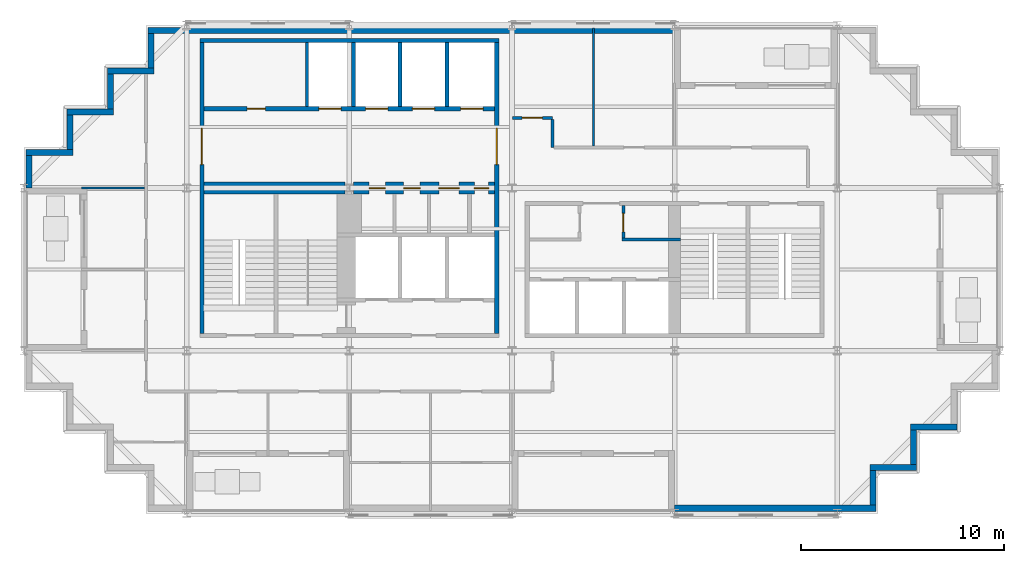
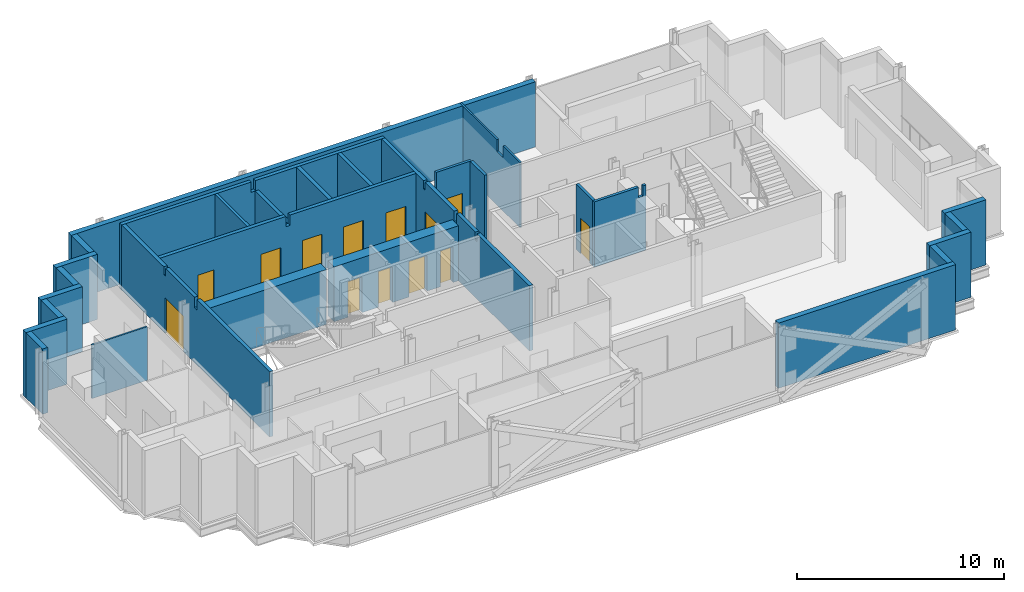
# One storey, part 4 of 8: 29 walls, 13 doors, 13 openings.
"""IFC4 building model written with IfcOpenShell, lengths in metres."""

from ifc_helpers import new_model, si_unit, direction, frame, frame_2d, origin, place, context, subcontext, project, spatial, polyline, rectangle, outline, extrude, material, layer, layer_set, type_object, element, fill, save


model = new_model("IFC4")

# Units and contexts
model_context = context("Model", 3, precision=1e-05, world=origin(), true_north=direction((0.0, 1.0)))
body_context = subcontext(model_context, "Body", "Model", "MODEL_VIEW")
ifc_project = project(units=[si_unit("LENGTHUNIT", "METRE"), si_unit("AREAUNIT", "SQUARE_METRE"), si_unit("VOLUMEUNIT", "CUBIC_METRE"), si_unit("PLANEANGLEUNIT", "RADIAN"), si_unit("MASSUNIT", "GRAM", prefix="KILO")], contexts=[model_context])

# Site, building, storey
site_placement = place(None, origin())
site = spatial("IfcSite", under=ifc_project, at=site_placement, CompositionType="ELEMENT")
building_placement = place(site_placement, origin())
building = spatial("IfcBuilding", under=site, at=building_placement, Name="Immortelle Media Tower", CompositionType="ELEMENT")
storey_placement = place(building_placement, frame((0.0, 0.0, 197.0)))
storey = spatial("IfcBuildingStorey", under=building, at=storey_placement, Name="L41", CompositionType="ELEMENT", Elevation=197.0)

# Wall, openings, doors
ifc_material_1 = material(Name="Fire-rated masonry blockwork", Category="masonry")
ifc_layer_1 = layer(ifc_material_1, 0.60009765625)
ifc_layer_set_1 = layer_set([ifc_layer_1], Name="Fire-rated masonry blockwork")
wall_type_1 = type_object("IfcWallType", Name="Core grid-line wall 600", PredefinedType="PARTITIONING", material=ifc_layer_set_1)
wall_1_placement = place(storey_placement, frame((16.20703125, 16.0, 0.0), z_axis=(0.0, 0.0, 1.0), x_axis=(1.0, 0.0, 0.0)))
wall_1 = element("IfcWall", 1, at=wall_1_placement, inside=storey, type_object=wall_type_1, Name="Core grid-line wall SW", PredefinedType="PARTITIONING", context=body_context, shape_type="SweptSolid", body=[
    extrude(rectangle(XDim=6.94287109375, YDim=0.60009765625, at=frame_2d((3.471435546875, 0.0))), origin(), (0.0, 0.0, 1.0), 3.241943359375),
])
opening_1_placement = place(wall_1_placement, frame((1.568115234375, 0.0, 0.0), z_axis=(0.0, 0.0, 1.0), x_axis=(-1.0, 0.0, 0.0)))
opening_1 = element("IfcOpeningElement", 2, at=opening_1_placement, cuts=wall_1, Name="Opening O1-K027", PredefinedType="OPENING", context=body_context, shape_type="SweptSolid", body=[
    extrude(rectangle(XDim=0.800048828125, YDim=2.10009765625, at=frame_2d((0.39990234375, 1.050048828125))), frame((0.0, 0.31005859375, 0.0), z_axis=(0.0, -1.0, 0.0), x_axis=(1.0, 0.0, 0.0)), (0.0, 0.0, 1.0), 0.6201171875),
])
opening_2_placement = place(wall_1_placement, frame((3.26806640625, 0.0, 0.0), z_axis=(0.0, 0.0, 1.0), x_axis=(-1.0, 0.0, 0.0)))
opening_2 = element("IfcOpeningElement", 3, at=opening_2_placement, cuts=wall_1, Name="Opening O1-K028", PredefinedType="OPENING", context=body_context, shape_type="SweptSolid", body=[
    extrude(rectangle(XDim=0.800048828125, YDim=2.10009765625, at=frame_2d((0.39990234375, 1.050048828125))), frame((0.0, 0.31005859375, 0.0), z_axis=(0.0, -1.0, 0.0), x_axis=(1.0, 0.0, 0.0)), (0.0, 0.0, 1.0), 0.6201171875),
])
opening_3_placement = place(wall_1_placement, frame((5.193115234375, 0.0, 0.0), z_axis=(0.0, 0.0, 1.0), x_axis=(-1.0, 0.0, 0.0)))
opening_3 = element("IfcOpeningElement", 4, at=opening_3_placement, cuts=wall_1, Name="Opening O1-K029", PredefinedType="OPENING", context=body_context, shape_type="SweptSolid", body=[
    extrude(rectangle(XDim=1.0, YDim=2.10009765625, at=frame_2d((0.5, 1.050048828125))), frame((0.0, 0.31005859375, 0.0), z_axis=(0.0, -1.0, 0.0), x_axis=(1.0, 0.0, 0.0)), (0.0, 0.0, 1.0), 0.6201171875),
])
opening_4_placement = place(wall_1_placement, frame((6.64306640625, 0.0, 0.0), z_axis=(0.0, 0.0, 1.0), x_axis=(-1.0, 0.0, 0.0)))
opening_4 = element("IfcOpeningElement", 5, at=opening_4_placement, cuts=wall_1, Name="Opening O1-K018", PredefinedType="OPENING", context=body_context, shape_type="SweptSolid", body=[
    extrude(rectangle(XDim=0.699951171875, YDim=2.10009765625, at=frame_2d((0.35009765625, 1.050048828125))), frame((0.0, 0.31005859375, 0.0), z_axis=(0.0, -1.0, 0.0), x_axis=(1.0, 0.0, 0.0)), (0.0, 0.0, 1.0), 0.6201171875),
])
ifc_material_2 = material(Name="Timber", Category="wood")
door_type_1 = type_object("IfcDoorType", Name="Accessible toilet door 1000 x 2100", OperationType="NOTDEFINED", PredefinedType="NOTDEFINED", material=ifc_material_2)
door_1_placement = place(opening_3_placement, origin())
door_1 = element("IfcDoor", 6, at=door_1_placement, inside=storey, type_object=door_type_1, Name="Accessible toilet O1-K029", OperationType="SINGLE_SWING_LEFT", OverallHeight=2.10009765625, OverallWidth=1.0, PredefinedType="NOTDEFINED", context=body_context, shape_type="SweptSolid", body=[
    extrude(rectangle(XDim=1.0, YDim=2.10009765625, at=frame_2d((0.5, 1.050048828125))), frame((0.0, 0.02490234375, 0.0), z_axis=(0.0, -1.0, 0.0), x_axis=(1.0, 0.0, 0.0)), (0.0, 0.0, 1.0), 0.050048828125),
])
fill(opening_3, door_1)
ifc_material_3 = material(Name="Galvanised steel door leaf and frame ASTM A653", Category="steel")
door_type_2 = type_object("IfcDoorType", Name="Service door 700 x 2100", OperationType="NOTDEFINED", PredefinedType="NOTDEFINED", material=ifc_material_3)
door_2_placement = place(opening_4_placement, origin())
door_2 = element("IfcDoor", 7, at=door_2_placement, inside=storey, type_object=door_type_2, Name="Service O1-K018", OperationType="SINGLE_SWING_RIGHT", OverallHeight=2.10009765625, OverallWidth=0.699951171875, PredefinedType="NOTDEFINED", context=body_context, shape_type="SweptSolid", body=[
    extrude(rectangle(XDim=0.699951171875, YDim=2.10009765625, at=frame_2d((0.35009765625, 1.050048828125))), frame((0.0, 0.02490234375, 0.0), z_axis=(0.0, -1.0, 0.0), x_axis=(1.0, 0.0, 0.0)), (0.0, 0.0, 1.0), 0.050048828125),
])
fill(opening_4, door_2)
door_type_3 = type_object("IfcDoorType", Name="Toilet door 800 x 2100", OperationType="NOTDEFINED", PredefinedType="NOTDEFINED", material=ifc_material_2)
door_3_placement = place(opening_1_placement, origin())
door_3 = element("IfcDoor", 8, at=door_3_placement, inside=storey, type_object=door_type_3, Name="Toilet O1-K027", OperationType="SINGLE_SWING_RIGHT", OverallHeight=2.10009765625, OverallWidth=0.800048828125, PredefinedType="NOTDEFINED", context=body_context, shape_type="SweptSolid", body=[
    extrude(rectangle(XDim=0.800048828125, YDim=2.10009765625, at=frame_2d((0.39990234375, 1.050048828125))), frame((0.0, 0.02490234375, 0.0), z_axis=(0.0, -1.0, 0.0), x_axis=(1.0, 0.0, 0.0)), (0.0, 0.0, 1.0), 0.050048828125),
])
fill(opening_1, door_3)
door_4_placement = place(opening_2_placement, origin())
door_4 = element("IfcDoor", 9, at=door_4_placement, inside=storey, type_object=door_type_3, Name="Toilet O1-K028", OperationType="SINGLE_SWING_LEFT", OverallHeight=2.10009765625, OverallWidth=0.800048828125, PredefinedType="NOTDEFINED", context=body_context, shape_type="SweptSolid", body=[
    extrude(rectangle(XDim=0.800048828125, YDim=2.10009765625, at=frame_2d((0.39990234375, 1.050048828125))), frame((0.0, 0.02490234375, 0.0), z_axis=(0.0, -1.0, 0.0), x_axis=(1.0, 0.0, 0.0)), (0.0, 0.0, 1.0), 0.050048828125),
])
fill(opening_2, door_4)

# Walls
ifc_material_4 = material(Name="Fire-rated gypsum board", Category="gypsum")
ifc_layer_2 = layer(ifc_material_4, 0.02490234375)
ifc_material_5 = material(Name="Steel ASTM A653 SS Gr 50 stud frame with mineral wool", Category="steel")
ifc_layer_3 = layer(ifc_material_5, 0.10009765625)
ifc_layer_4 = layer(ifc_material_4, 0.02490234375)
ifc_layer_set_2 = layer_set([ifc_layer_2, ifc_layer_3, ifc_layer_4], Name="Steel ASTM A653 SS Gr 50 stud frame with mineral wool")
wall_type_2 = type_object("IfcWallType", Name="Core partition 150", PredefinedType="PARTITIONING", material=ifc_layer_set_2)
wall_2_placement = place(storey_placement, frame((13.925048828125, 20.0, 0.0), z_axis=(0.0, 0.0, 1.0), x_axis=(0.0, 1.0, 0.0)))
element("IfcWall", 10, at=wall_2_placement, inside=storey, type_object=wall_type_2, Name="Core partition SW", PredefinedType="PARTITIONING", context=body_context, shape_type="SweptSolid", body=[
    extrude(rectangle(XDim=3.14990234375, YDim=0.14990234375, at=frame_2d((1.574951171875, 0.0))), origin(), (0.0, 0.0, 1.0), 3.85009765625),
])
wall_3_placement = place(storey_placement, frame((29.39990234375, 13.47509765625, 0.0), z_axis=(0.0, 0.0, 1.0), x_axis=(1.0, 0.0, 0.0)))
element("IfcWall", 11, at=wall_3_placement, inside=storey, type_object=wall_type_2, Name="Core partition SE", PredefinedType="PARTITIONING", context=body_context, shape_type="SweptSolid", body=[
    extrude(outline(polyline([(0.0, 0.0), (2.900146484375, 0.0), (2.89990234375, 3.85009765625), (2.718994140625, 3.85009765625), (2.718017578125, 3.241943359375), (2.48193359375, 3.241943359375), (2.48095703125, 3.85009765625), (0.0, 3.85009765625), (0.0, 0.0)])), frame((0.0, 0.074951171875, 0.0), z_axis=(0.0, -1.0, 0.0), x_axis=(1.0, 0.0, 0.0)), (0.0, 0.0, 1.0), 0.14990234375),
])

# Wall, opening, door
wall_4_placement = place(storey_placement, frame((29.47509765625, 13.550048828125, 0.0), z_axis=(0.0, 0.0, 1.0), x_axis=(0.0, 1.0, 0.0)))
wall_4 = element("IfcWall", 12, at=wall_4_placement, inside=storey, type_object=wall_type_2, Name="Core partition SE", PredefinedType="PARTITIONING", context=body_context, shape_type="SweptSolid", body=[
    extrude(rectangle(XDim=1.599853515625, YDim=0.14990234375, at=frame_2d((0.7998046875, 0.0))), origin(), (0.0, 0.0, 1.0), 3.85009765625),
])
opening_5_placement = place(wall_4_placement, frame((1.199951171875, 0.0, 0.0), z_axis=(0.0, 0.0, 1.0), x_axis=(-1.0, 0.0, 0.0)))
opening_5 = element("IfcOpeningElement", 13, at=opening_5_placement, cuts=wall_4, Name="Opening O1-K030", PredefinedType="OPENING", context=body_context, shape_type="SweptSolid", body=[
    extrude(rectangle(XDim=0.89990234375, YDim=2.10009765625, at=frame_2d((0.449951171875, 1.050048828125))), frame((0.0, 0.0849609375, 0.0), z_axis=(0.0, -1.0, 0.0), x_axis=(1.0, 0.0, 0.0)), (0.0, 0.0, 1.0), 0.169921875),
])
door_type_4 = type_object("IfcDoorType", Name="Room door 900 x 2100", OperationType="NOTDEFINED", PredefinedType="NOTDEFINED", material=ifc_material_2)
door_5_placement = place(opening_5_placement, origin())
door_5 = element("IfcDoor", 14, at=door_5_placement, inside=storey, type_object=door_type_4, Name="Room O1-K030", OperationType="SINGLE_SWING_RIGHT", OverallHeight=2.10009765625, OverallWidth=0.89990234375, PredefinedType="NOTDEFINED", context=body_context, shape_type="SweptSolid", body=[
    extrude(rectangle(XDim=0.89990234375, YDim=2.10009765625, at=frame_2d((0.449951171875, 1.050048828125))), frame((0.0, 0.02490234375, 0.0), z_axis=(0.0, -1.0, 0.0), x_axis=(1.0, 0.0, 0.0)), (0.0, 0.0, 1.0), 0.050048828125),
])
fill(opening_5, door_5)

# Wall
ifc_layer_5 = layer(ifc_material_4, 0.03759765625)
ifc_layer_6 = layer(ifc_material_5, 0.125)
ifc_layer_7 = layer(ifc_material_4, 0.03759765625)
ifc_layer_set_3 = layer_set([ifc_layer_5, ifc_layer_6, ifc_layer_7], Name="Steel ASTM A653 SS Gr 50 stud frame with mineral wool")
wall_type_3 = type_object("IfcWallType", Name="Core shaft wall 200", PredefinedType="PARTITIONING", material=ifc_layer_set_3)
wall_5_placement = place(storey_placement, frame((8.64990234375, 23.25, 0.0), z_axis=(0.0, 0.0, 1.0), x_axis=(1.0, 0.0, 0.0)))
element("IfcWall", 15, at=wall_5_placement, inside=storey, type_object=wall_type_3, Name="Core shaft wall SW", PredefinedType="PARTITIONING", context=body_context, shape_type="SweptSolid", body=[
    extrude(outline(polyline([(0.0, 0.0), (14.7001953125, 0.0), (14.699951171875, 3.85009765625), (7.468994140625, 3.85009765625), (7.468017578125, 3.241943359375), (7.23193359375, 3.241943359375), (7.23095703125, 3.85009765625), (0.0, 3.85009765625), (0.0, 0.0)])), frame((0.0, 0.10009765625, 0.0), z_axis=(0.0, -1.0, 0.0), x_axis=(1.0, 0.0, 0.0)), (0.0, 0.0, 1.0), 0.199951171875),
])

# Wall, openings, doors
wall_6_placement = place(storey_placement, frame((8.85009765625, 19.89990234375, 0.0), z_axis=(0.0, 0.0, 1.0), x_axis=(1.0, 0.0, 0.0)))
wall_6 = element("IfcWall", 16, at=wall_6_placement, inside=storey, type_object=wall_type_3, Name="Core shaft wall SW", PredefinedType="PARTITIONING", context=body_context, shape_type="SweptSolid", body=[
    extrude(outline(polyline([(0.0, 0.0), (14.2998046875, 0.0), (14.300048828125, 3.85009765625), (7.26904296875, 3.85009765625), (7.26806640625, 3.241943359375), (7.031982421875, 3.241943359375), (7.031005859375, 3.85009765625), (0.0, 3.85009765625), (0.0, 0.0)])), frame((0.0, 0.10009765625, 0.0), z_axis=(0.0, -1.0, 0.0), x_axis=(1.0, 0.0, 0.0)), (0.0, 0.0, 1.0), 0.199951171875),
])
opening_6_placement = place(wall_6_placement, frame((2.125, 0.0, 0.0)))
opening_6 = element("IfcOpeningElement", 17, at=opening_6_placement, cuts=wall_6, Name="Opening O1-K003", PredefinedType="OPENING", context=body_context, shape_type="SweptSolid", body=[
    extrude(rectangle(XDim=0.89990234375, YDim=2.10009765625, at=frame_2d((0.449951171875, 1.050048828125))), frame((0.0, 0.10986328125, 0.0), z_axis=(0.0, -1.0, 0.0), x_axis=(1.0, 0.0, 0.0)), (0.0, 0.0, 1.0), 0.219970703125),
])
opening_7_placement = place(wall_6_placement, frame((5.64990234375, 0.0, 0.0)))
opening_7 = element("IfcOpeningElement", 18, at=opening_7_placement, cuts=wall_6, Name="Opening LD", PredefinedType="OPENING", context=body_context, shape_type="SweptSolid", body=[
    extrude(rectangle(XDim=1.10009765625, YDim=2.10009765625, at=frame_2d((0.550048828125, 1.050048828125))), frame((0.0, 0.10986328125, 0.0), z_axis=(0.0, -1.0, 0.0), x_axis=(1.0, 0.0, 0.0)), (0.0, 0.0, 1.0), 0.219970703125),
])
opening_8_placement = place(wall_6_placement, frame((7.949951171875, 0.0, 0.0)))
opening_8 = element("IfcOpeningElement", 19, at=opening_8_placement, cuts=wall_6, Name="Opening LD", PredefinedType="OPENING", context=body_context, shape_type="SweptSolid", body=[
    extrude(rectangle(XDim=1.10009765625, YDim=2.10009765625, at=frame_2d((0.550048828125, 1.050048828125))), frame((0.0, 0.10986328125, 0.0), z_axis=(0.0, -1.0, 0.0), x_axis=(1.0, 0.0, 0.0)), (0.0, 0.0, 1.0), 0.219970703125),
])
opening_9_placement = place(wall_6_placement, frame((10.25, 0.0, 0.0)))
opening_9 = element("IfcOpeningElement", 20, at=opening_9_placement, cuts=wall_6, Name="Opening LD", PredefinedType="OPENING", context=body_context, shape_type="SweptSolid", body=[
    extrude(rectangle(XDim=1.10009765625, YDim=2.10009765625, at=frame_2d((0.550048828125, 1.050048828125))), frame((0.0, 0.10986328125, 0.0), z_axis=(0.0, -1.0, 0.0), x_axis=(1.0, 0.0, 0.0)), (0.0, 0.0, 1.0), 0.219970703125),
])
opening_10_placement = place(wall_6_placement, frame((12.625, 0.0, 0.0)))
opening_10 = element("IfcOpeningElement", 21, at=opening_10_placement, cuts=wall_6, Name="Opening LD", PredefinedType="OPENING", context=body_context, shape_type="SweptSolid", body=[
    extrude(rectangle(XDim=1.10009765625, YDim=2.10009765625, at=frame_2d((0.550048828125, 1.050048828125))), frame((0.0, 0.10986328125, 0.0), z_axis=(0.0, -1.0, 0.0), x_axis=(1.0, 0.0, 0.0)), (0.0, 0.0, 1.0), 0.219970703125),
])
ifc_material_6 = material(Name="Stainless steel AISI 304", Category="steel")
door_type_5 = type_object("IfcDoorType", Name="Landing door 1100 x 2100", OperationType="SLIDING_TO_LEFT", PredefinedType="NOTDEFINED", material=ifc_material_6)
door_6_placement = place(opening_7_placement, origin())
door_6 = element("IfcDoor", 22, at=door_6_placement, inside=storey, type_object=door_type_5, Name="Landing door HR1 L41", OperationType="SLIDING_TO_LEFT", OverallHeight=2.10009765625, OverallWidth=1.10009765625, PredefinedType="NOTDEFINED", context=body_context, shape_type="SweptSolid", body=[
    extrude(rectangle(XDim=1.10009765625, YDim=2.10009765625, at=frame_2d((0.550048828125, 1.050048828125))), frame((0.0, 0.02490234375, 0.0), z_axis=(0.0, -1.0, 0.0), x_axis=(1.0, 0.0, 0.0)), (0.0, 0.0, 1.0), 0.050048828125),
])
fill(opening_7, door_6)
door_7_placement = place(opening_8_placement, origin())
door_7 = element("IfcDoor", 23, at=door_7_placement, inside=storey, type_object=door_type_5, Name="Landing door HR2 L41", OperationType="SLIDING_TO_LEFT", OverallHeight=2.10009765625, OverallWidth=1.10009765625, PredefinedType="NOTDEFINED", context=body_context, shape_type="SweptSolid", body=[
    extrude(rectangle(XDim=1.10009765625, YDim=2.10009765625, at=frame_2d((0.550048828125, 1.050048828125))), frame((0.0, 0.02490234375, 0.0), z_axis=(0.0, -1.0, 0.0), x_axis=(1.0, 0.0, 0.0)), (0.0, 0.0, 1.0), 0.050048828125),
])
fill(opening_8, door_7)
door_8_placement = place(opening_9_placement, origin())
door_8 = element("IfcDoor", 24, at=door_8_placement, inside=storey, type_object=door_type_5, Name="Landing door HR3 L41", OperationType="SLIDING_TO_LEFT", OverallHeight=2.10009765625, OverallWidth=1.10009765625, PredefinedType="NOTDEFINED", context=body_context, shape_type="SweptSolid", body=[
    extrude(rectangle(XDim=1.10009765625, YDim=2.10009765625, at=frame_2d((0.550048828125, 1.050048828125))), frame((0.0, 0.02490234375, 0.0), z_axis=(0.0, -1.0, 0.0), x_axis=(1.0, 0.0, 0.0)), (0.0, 0.0, 1.0), 0.050048828125),
])
fill(opening_9, door_8)
door_9_placement = place(opening_10_placement, origin())
door_9 = element("IfcDoor", 25, at=door_9_placement, inside=storey, type_object=door_type_5, Name="Landing door HR4 L41", OperationType="SLIDING_TO_LEFT", OverallHeight=2.10009765625, OverallWidth=1.10009765625, PredefinedType="NOTDEFINED", context=body_context, shape_type="SweptSolid", body=[
    extrude(rectangle(XDim=1.10009765625, YDim=2.10009765625, at=frame_2d((0.550048828125, 1.050048828125))), frame((0.0, 0.02490234375, 0.0), z_axis=(0.0, -1.0, 0.0), x_axis=(1.0, 0.0, 0.0)), (0.0, 0.0, 1.0), 0.050048828125),
])
fill(opening_10, door_9)
door_10_placement = place(opening_6_placement, origin())
door_10 = element("IfcDoor", 26, at=door_10_placement, inside=storey, type_object=door_type_4, Name="Room O1-K003", OperationType="SINGLE_SWING_RIGHT", OverallHeight=2.10009765625, OverallWidth=0.89990234375, PredefinedType="NOTDEFINED", context=body_context, shape_type="SweptSolid", body=[
    extrude(rectangle(XDim=0.89990234375, YDim=2.10009765625, at=frame_2d((0.449951171875, 1.050048828125))), frame((0.0, 0.02490234375, 0.0), z_axis=(0.0, -1.0, 0.0), x_axis=(1.0, 0.0, 0.0)), (0.0, 0.0, 1.0), 0.050048828125),
])
fill(opening_6, door_10)

# Walls
wall_7_placement = place(storey_placement, frame((16.199951171875, 20.0, 0.0), z_axis=(0.0, 0.0, 1.0), x_axis=(0.0, 1.0, 0.0)))
element("IfcWall", 27, at=wall_7_placement, inside=storey, type_object=wall_type_3, Name="Core shaft wall SW", PredefinedType="PARTITIONING", context=body_context, shape_type="SweptSolid", body=[
    extrude(rectangle(XDim=3.14990234375, YDim=0.199951171875, at=frame_2d((1.574951171875, 0.0))), origin(), (0.0, 0.0, 1.0), 3.241943359375),
])
for number, where, z_axis, x_axis, name in (
    (28, (18.5, 20.0, 0.0), (0.0, 0.0, 1.0), (0.0, 1.0, 0.0), "Core shaft wall SW"),
    (29, (20.800048828125, 20.0, 0.0), (0.0, 0.0, 1.0), (0.0, 1.0, 0.0), "Core shaft wall SW"),
):
    element("IfcWall", number, at=place(storey_placement, frame(where, z_axis=z_axis, x_axis=x_axis)), inside=storey, type_object=wall_type_3, Name=name, PredefinedType="PARTITIONING", context=body_context, shape_type="SweptSolid", body=[
        extrude(rectangle(XDim=3.14990234375, YDim=0.199951171875, at=frame_2d((1.574951171875, 0.0))), origin(), (0.0, 0.0, 1.0), 3.85009765625),
    ])

# Wall, opening, door
wall_8_placement = place(storey_placement, frame((23.25, 8.85009765625, 0.0), z_axis=(0.0, 0.0, 1.0), x_axis=(0.0, 1.0, 0.0)))
wall_8 = element("IfcWall", 30, at=wall_8_placement, inside=storey, type_object=wall_type_3, Name="Core shaft wall SW", PredefinedType="PARTITIONING", context=body_context, shape_type="SweptSolid", body=[
    extrude(outline(polyline([(0.0, 0.0), (14.2998046875, 0.0), (14.300048828125, 3.85009765625), (10.2314453125, 3.85009765625), (10.23046875, 3.388916015625), (10.069580078125, 3.388916015625), (10.068603515625, 3.85009765625), (7.26904296875, 3.85009765625), (7.26806640625, 3.241943359375), (7.031982421875, 3.241943359375), (7.031005859375, 3.85009765625), (5.2314453125, 3.85009765625), (5.23046875, 3.388916015625), (5.069580078125, 3.388916015625), (5.068603515625, 3.85009765625), (0.0, 3.85009765625), (0.0, 0.0)])), frame((0.0, 0.10009765625, 0.0), z_axis=(0.0, -1.0, 0.0), x_axis=(1.0, 0.0, 0.0)), (0.0, 0.0, 1.0), 0.199951171875),
])
opening_11_placement = place(wall_8_placement, frame((8.300048828125, 0.0, 0.0)))
opening_11 = element("IfcOpeningElement", 31, at=opening_11_placement, cuts=wall_8, Name="Opening O1-K019", PredefinedType="OPENING", context=body_context, shape_type="SweptSolid", body=[
    extrude(rectangle(XDim=1.800048828125, YDim=2.10009765625, at=frame_2d((0.89990234375, 1.050048828125))), frame((0.0, 0.10986328125, 0.0), z_axis=(0.0, -1.0, 0.0), x_axis=(1.0, 0.0, 0.0)), (0.0, 0.0, 1.0), 0.219970703125),
])
door_type_6 = type_object("IfcDoorType", Name="Lift lobby door 1800 x 2100", OperationType="DOUBLE_DOOR_SINGLE_SWING", PredefinedType="NOTDEFINED", material=ifc_material_3)
door_11_placement = place(opening_11_placement, origin())
door_11 = element("IfcDoor", 32, at=door_11_placement, inside=storey, type_object=door_type_6, Name="Lift lobby O1-K019", OperationType="DOUBLE_DOOR_SINGLE_SWING", OverallHeight=2.10009765625, OverallWidth=1.800048828125, PredefinedType="NOTDEFINED", context=body_context, shape_type="SweptSolid", body=[
    extrude(rectangle(XDim=1.800048828125, YDim=2.10009765625, at=frame_2d((0.89990234375, 1.050048828125))), frame((0.0, 0.02490234375, 0.0), z_axis=(0.0, -1.0, 0.0), x_axis=(1.0, 0.0, 0.0)), (0.0, 0.0, 1.0), 0.050048828125),
])
fill(opening_11, door_11)

# Wall
ifc_layer_8 = layer(ifc_material_4, 0.012451171875)
ifc_layer_9 = layer(ifc_material_5, 0.125)
ifc_layer_10 = layer(ifc_material_4, 0.012451171875)
ifc_layer_set_4 = layer_set([ifc_layer_8, ifc_layer_9, ifc_layer_10], Name="Steel ASTM A653 SS Gr 50 stud frame with mineral wool")
wall_type_4 = type_object("IfcWallType", Name="Corridor wall 150", PredefinedType="PARTITIONING", material=ifc_layer_set_4)
wall_9_placement = place(storey_placement, frame((26.0, 18.0, 0.0), z_axis=(0.0, 0.0, 1.0), x_axis=(0.0, 1.0, 0.0)))
element("IfcWall", 33, at=wall_9_placement, inside=storey, type_object=wall_type_4, Name="Partition L41-020", PredefinedType="PARTITIONING", context=body_context, shape_type="SweptSolid", body=[
    extrude(rectangle(XDim=1.375, YDim=0.14990234375, at=frame_2d((0.6875, 0.0))), origin(), (0.0, 0.0, 1.0), 3.85009765625),
])

# Wall, opening, door
wall_10_placement = place(storey_placement, frame((24.030029296875, 19.449951171875, 0.0), z_axis=(0.0, 0.0, 1.0), x_axis=(1.0, 0.0, 0.0)))
wall_10 = element("IfcWall", 34, at=wall_10_placement, inside=storey, type_object=wall_type_4, Name="Partition L41-023", PredefinedType="PARTITIONING", context=body_context, shape_type="SweptSolid", body=[
    extrude(rectangle(XDim=1.969970703125, YDim=0.14990234375, at=frame_2d((0.98486328125, 0.0))), origin(), (0.0, 0.0, 1.0), 3.85009765625),
])
opening_12_placement = place(wall_10_placement, frame((0.469970703125, 0.0, 0.0)))
opening_12 = element("IfcOpeningElement", 35, at=opening_12_placement, cuts=wall_10, Name="Opening O1-F014", PredefinedType="OPENING", context=body_context, shape_type="SweptSolid", body=[
    extrude(rectangle(XDim=1.0, YDim=2.10009765625, at=frame_2d((0.5, 1.050048828125))), frame((0.0, 0.0849609375, 0.0), z_axis=(0.0, -1.0, 0.0), x_axis=(1.0, 0.0, 0.0)), (0.0, 0.0, 1.0), 0.169921875),
])
ifc_material_7 = material(Name="Timber veneered door leaf, galvanised steel frame ASTM A653", Category="steel")
door_type_7 = type_object("IfcDoorType", Name="Room door 1000 x 2100", OperationType="NOTDEFINED", PredefinedType="DOOR", material=ifc_material_7)
door_12_placement = place(opening_12_placement, origin())
door_12 = element("IfcDoor", 36, at=door_12_placement, inside=storey, type_object=door_type_7, Name="Door O1-F014", OperationType="SINGLE_SWING_LEFT", OverallHeight=2.10009765625, OverallWidth=1.0, PredefinedType="DOOR", context=body_context, shape_type="SweptSolid", body=[
    extrude(rectangle(XDim=1.0, YDim=2.10009765625, at=frame_2d((0.5, 1.050048828125))), frame((0.0, 0.02490234375, 0.0), z_axis=(0.0, -1.0, 0.0), x_axis=(1.0, 0.0, 0.0)), (0.0, 0.0, 1.0), 0.050048828125),
])
fill(opening_12, door_12)

# Walls
ifc_material_8 = material(Name="Pale aluminium cladding panel", Category="aluminium")
ifc_layer_11 = layer(ifc_material_8, 0.030029296875)
ifc_layer_12 = layer(ifc_material_5, 0.257568359375)
ifc_material_9 = material(Name="Moisture-resistant gypsum board", Category="gypsum")
ifc_layer_13 = layer(ifc_material_9, 0.012451171875)
ifc_layer_set_5 = layer_set([ifc_layer_11, ifc_layer_12, ifc_layer_13], Name="Steel ASTM A653 SS Gr 50 stud frame with mineral wool")
wall_type_5 = type_object("IfcWallType", Name="Facade wall 300", PredefinedType="SOLIDWALL", material=ifc_layer_set_5)
wall_11_placement = place(storey_placement, frame((32.0, 0.25, 0.0), z_axis=(0.0, 0.0, 1.0), x_axis=(1.0, 0.0, 0.0)))
element("IfcWall", 37, at=wall_11_placement, inside=storey, type_object=wall_type_5, Name="Facade wall L41 S6", PredefinedType="SOLIDWALL", context=body_context, shape_type="SweptSolid", body=[
    extrude(rectangle(XDim=9.89990234375, YDim=0.300048828125, at=frame_2d((4.949951171875, 0.0))), origin(), (0.0, 0.0, 1.0), 3.85009765625),
])
wall_12_placement = place(storey_placement, frame((41.75, 0.39990234375, 0.0), z_axis=(0.0, 0.0, 1.0), x_axis=(0.0, 1.0, 0.0)))
element("IfcWall", 38, at=wall_12_placement, inside=storey, type_object=wall_type_5, Name="Facade wall L41 E7", PredefinedType="SOLIDWALL", context=body_context, shape_type="SweptSolid", body=[
    extrude(rectangle(XDim=1.7001953125, YDim=0.300048828125, at=frame_2d((0.85009765625, 0.0))), origin(), (0.0, 0.0, 1.0), 3.85009765625),
])
wall_13_placement = place(storey_placement, frame((41.60009765625, 2.25, 0.0), z_axis=(0.0, 0.0, 1.0), x_axis=(1.0, 0.0, 0.0)))
element("IfcWall", 39, at=wall_13_placement, inside=storey, type_object=wall_type_5, Name="Facade wall L41 S8", PredefinedType="SOLIDWALL", context=body_context, shape_type="SweptSolid", body=[
    extrude(rectangle(XDim=2.2998046875, YDim=0.300048828125, at=frame_2d((1.14990234375, 0.0))), origin(), (0.0, 0.0, 1.0), 3.85009765625),
])
wall_14_placement = place(storey_placement, frame((43.75, 2.39990234375, 0.0), z_axis=(0.0, 0.0, 1.0), x_axis=(0.0, 1.0, 0.0)))
element("IfcWall", 40, at=wall_14_placement, inside=storey, type_object=wall_type_5, Name="Facade wall L41 E9", PredefinedType="SOLIDWALL", context=body_context, shape_type="SweptSolid", body=[
    extrude(rectangle(XDim=1.7001953125, YDim=0.300048828125, at=frame_2d((0.85009765625, 0.0))), origin(), (0.0, 0.0, 1.0), 3.85009765625),
])
wall_15_placement = place(storey_placement, frame((43.60009765625, 4.25, 0.0), z_axis=(0.0, 0.0, 1.0), x_axis=(1.0, 0.0, 0.0)))
element("IfcWall", 41, at=wall_15_placement, inside=storey, type_object=wall_type_5, Name="Facade wall L41 S10", PredefinedType="SOLIDWALL", context=body_context, shape_type="SweptSolid", body=[
    extrude(rectangle(XDim=2.2998046875, YDim=0.300048828125, at=frame_2d((1.14990234375, 0.0))), origin(), (0.0, 0.0, 1.0), 3.85009765625),
])
wall_16_placement = place(storey_placement, frame((32.0, 23.75, 0.0), z_axis=(0.0, 0.0, 1.0), x_axis=(-1.0, 0.0, 0.0)))
element("IfcWall", 42, at=wall_16_placement, inside=storey, type_object=wall_type_5, Name="Facade wall L41 N20", PredefinedType="SOLIDWALL", context=body_context, shape_type="SweptSolid", body=[
    extrude(rectangle(XDim=25.89990234375, YDim=0.300048828125, at=frame_2d((12.949951171875, 0.0))), origin(), (0.0, 0.0, 1.0), 3.85009765625),
])
wall_17_placement = place(storey_placement, frame((6.25, 23.60009765625, 0.0), z_axis=(0.0, 0.0, 1.0), x_axis=(0.0, -1.0, 0.0)))
element("IfcWall", 43, at=wall_17_placement, inside=storey, type_object=wall_type_5, Name="Facade wall L41 W21", PredefinedType="SOLIDWALL", context=body_context, shape_type="SweptSolid", body=[
    extrude(rectangle(XDim=1.7001953125, YDim=0.300048828125, at=frame_2d((0.85009765625, 0.0))), origin(), (0.0, 0.0, 1.0), 3.85009765625),
])
wall_18_placement = place(storey_placement, frame((6.39990234375, 21.75, 0.0), z_axis=(0.0, 0.0, 1.0), x_axis=(-1.0, 0.0, 0.0)))
element("IfcWall", 44, at=wall_18_placement, inside=storey, type_object=wall_type_5, Name="Facade wall L41 N22", PredefinedType="SOLIDWALL", context=body_context, shape_type="SweptSolid", body=[
    extrude(rectangle(XDim=2.2998046875, YDim=0.300048828125, at=frame_2d((1.14990234375, 0.0))), origin(), (0.0, 0.0, 1.0), 3.85009765625),
])
wall_19_placement = place(storey_placement, frame((4.25, 21.60009765625, 0.0), z_axis=(0.0, 0.0, 1.0), x_axis=(0.0, -1.0, 0.0)))
element("IfcWall", 45, at=wall_19_placement, inside=storey, type_object=wall_type_5, Name="Facade wall L41 W23", PredefinedType="SOLIDWALL", context=body_context, shape_type="SweptSolid", body=[
    extrude(rectangle(XDim=1.7001953125, YDim=0.300048828125, at=frame_2d((0.85009765625, 0.0))), origin(), (0.0, 0.0, 1.0), 3.85009765625),
])
wall_20_placement = place(storey_placement, frame((4.39990234375, 19.75, 0.0), z_axis=(0.0, 0.0, 1.0), x_axis=(-1.0, 0.0, 0.0)))
element("IfcWall", 46, at=wall_20_placement, inside=storey, type_object=wall_type_5, Name="Facade wall L41 N24", PredefinedType="SOLIDWALL", context=body_context, shape_type="SweptSolid", body=[
    extrude(rectangle(XDim=2.2998046875, YDim=0.300048828125, at=frame_2d((1.14990234375, 0.0))), origin(), (0.0, 0.0, 1.0), 3.85009765625),
])
wall_21_placement = place(storey_placement, frame((2.25, 19.60009765625, 0.0), z_axis=(0.0, 0.0, 1.0), x_axis=(0.0, -1.0, 0.0)))
element("IfcWall", 47, at=wall_21_placement, inside=storey, type_object=wall_type_5, Name="Facade wall L41 W25", PredefinedType="SOLIDWALL", context=body_context, shape_type="SweptSolid", body=[
    extrude(rectangle(XDim=1.7001953125, YDim=0.300048828125, at=frame_2d((0.85009765625, 0.0))), origin(), (0.0, 0.0, 1.0), 3.85009765625),
])
wall_22_placement = place(storey_placement, frame((2.39990234375, 17.75, 0.0), z_axis=(0.0, 0.0, 1.0), x_axis=(-1.0, 0.0, 0.0)))
element("IfcWall", 48, at=wall_22_placement, inside=storey, type_object=wall_type_5, Name="Facade wall L41 N26", PredefinedType="SOLIDWALL", context=body_context, shape_type="SweptSolid", body=[
    extrude(rectangle(XDim=2.2998046875, YDim=0.300048828125, at=frame_2d((1.14990234375, 0.0))), origin(), (0.0, 0.0, 1.0), 3.85009765625),
])
wall_23_placement = place(storey_placement, frame((0.25, 17.60009765625, 0.0), z_axis=(0.0, 0.0, 1.0), x_axis=(0.0, -1.0, 0.0)))
element("IfcWall", 49, at=wall_23_placement, inside=storey, type_object=wall_type_5, Name="Facade wall L41 W27", PredefinedType="SOLIDWALL", context=body_context, shape_type="SweptSolid", body=[
    extrude(rectangle(XDim=1.60009765625, YDim=0.300048828125, at=frame_2d((0.800048828125, 0.0))), origin(), (0.0, 0.0, 1.0), 3.85009765625),
])
ifc_material_10 = material(Name="Gypsum board", Category="gypsum")
ifc_layer_14 = layer(ifc_material_10, 0.012451171875)
ifc_layer_15 = layer(ifc_material_5, 0.074951171875)
ifc_layer_16 = layer(ifc_material_10, 0.012451171875)
ifc_layer_set_6 = layer_set([ifc_layer_14, ifc_layer_15, ifc_layer_16], Name="Steel ASTM A653 SS Gr 50 stud frame with mineral wool")
wall_type_6 = type_object("IfcWallType", Name="Partition 100", PredefinedType="PARTITIONING", material=ifc_layer_set_6)
wall_24_placement = place(storey_placement, frame((2.830078125, 16.0, 0.0), z_axis=(0.0, 0.0, 1.0), x_axis=(1.0, 0.0, 0.0)))
element("IfcWall", 50, at=wall_24_placement, inside=storey, type_object=wall_type_6, Name="Partition L41-016", PredefinedType="PARTITIONING", context=body_context, shape_type="SweptSolid", body=[
    extrude(rectangle(XDim=3.094970703125, YDim=0.10009765625, at=frame_2d((1.54736328125, 0.0))), origin(), (0.0, 0.0, 1.0), 3.156982421875),
])
wall_25_placement = place(storey_placement, frame((28.0, 18.074951171875, 0.0), z_axis=(0.0, 0.0, 1.0), x_axis=(0.0, 1.0, 0.0)))
element("IfcWall", 51, at=wall_25_placement, inside=storey, type_object=wall_type_6, Name="Partition L41-021", PredefinedType="PARTITIONING", context=body_context, shape_type="SweptSolid", body=[
    extrude(outline(polyline([(0.0, 0.0), (5.795166015625, 0.0), (5.794921875, 3.85009765625), (2.22509765625, 3.85009765625), (2.222900390625, 3.156982421875), (1.626953125, 3.156982421875), (1.625, 3.85009765625), (0.0, 3.85009765625), (0.0, 0.0)])), frame((0.0, 0.050048828125, 0.0), z_axis=(0.0, -1.0, 0.0), x_axis=(1.0, 0.0, 0.0)), (0.0, 0.0, 1.0), 0.10009765625),
])

# Wall, opening, door
ifc_material_11 = material(Name="Concrete C60", Category="concrete")
ifc_layer_17 = layer(ifc_material_11, 0.199951171875)
ifc_layer_set_7 = layer_set([ifc_layer_17], Name="Concrete C60")
wall_type_7 = type_object("IfcWallType", Name="Stair shaft wall 200", PredefinedType="PARTITIONING", material=ifc_layer_set_7)
wall_26_placement = place(storey_placement, frame((8.75, 8.85009765625, 0.0), z_axis=(0.0, 0.0, 1.0), x_axis=(0.0, 1.0, 0.0)))
wall_26 = element("IfcWall", 52, at=wall_26_placement, inside=storey, type_object=wall_type_7, Name="Stair shaft wall SW", PredefinedType="PARTITIONING", context=body_context, shape_type="SweptSolid", body=[
    extrude(outline(polyline([(0.0, 0.0), (14.2998046875, 0.0), (14.300048828125, 3.85009765625), (10.2314453125, 3.85009765625), (10.23046875, 3.388916015625), (10.069580078125, 3.388916015625), (10.068603515625, 3.85009765625), (7.26904296875, 3.85009765625), (7.26806640625, 3.241943359375), (7.031982421875, 3.241943359375), (7.031005859375, 3.85009765625), (0.0, 3.85009765625), (0.0, 0.0)])), frame((0.0, 0.10009765625, 0.0), z_axis=(0.0, -1.0, 0.0), x_axis=(1.0, 0.0, 0.0)), (0.0, 0.0, 1.0), 0.199951171875),
])
opening_13_placement = place(wall_26_placement, frame((8.300048828125, 0.0, 0.0)))
opening_13 = element("IfcOpeningElement", 53, at=opening_13_placement, cuts=wall_26, Name="Opening O1-K001", PredefinedType="OPENING", context=body_context, shape_type="SweptSolid", body=[
    extrude(rectangle(XDim=1.800048828125, YDim=2.10009765625, at=frame_2d((0.89990234375, 1.050048828125))), frame((0.0, 0.10986328125, 0.0), z_axis=(0.0, -1.0, 0.0), x_axis=(1.0, 0.0, 0.0)), (0.0, 0.0, 1.0), 0.219970703125),
])
door_13_placement = place(opening_13_placement, origin())
door_13 = element("IfcDoor", 54, at=door_13_placement, inside=storey, type_object=door_type_6, Name="Lift lobby O1-K001", OperationType="DOUBLE_DOOR_SINGLE_SWING", OverallHeight=2.10009765625, OverallWidth=1.800048828125, PredefinedType="NOTDEFINED", context=body_context, shape_type="SweptSolid", body=[
    extrude(rectangle(XDim=1.800048828125, YDim=2.10009765625, at=frame_2d((0.89990234375, 1.050048828125))), frame((0.0, 0.02490234375, 0.0), z_axis=(0.0, -1.0, 0.0), x_axis=(1.0, 0.0, 0.0)), (0.0, 0.0, 1.0), 0.050048828125),
])
fill(opening_13, door_13)

# Wall
ifc_layer_18 = layer(ifc_material_11, 0.60009765625)
ifc_layer_set_8 = layer_set([ifc_layer_18], Name="Concrete C60")
wall_type_8 = type_object("IfcWallType", Name="Stair shaft wall 600", PredefinedType="PARTITIONING", material=ifc_layer_set_8)
wall_27_placement = place(storey_placement, frame((8.85009765625, 16.0, 0.0), z_axis=(0.0, 0.0, 1.0), x_axis=(1.0, 0.0, 0.0)))
element("IfcWall", 55, at=wall_27_placement, inside=storey, type_object=wall_type_8, Name="Stair shaft wall SW", PredefinedType="PARTITIONING", context=body_context, shape_type="SweptSolid", body=[
    extrude(rectangle(XDim=6.94287109375, YDim=0.60009765625, at=frame_2d((3.471435546875, 0.0))), origin(), (0.0, 0.0, 1.0), 3.241943359375),
])

save(model, "model.ifc")
